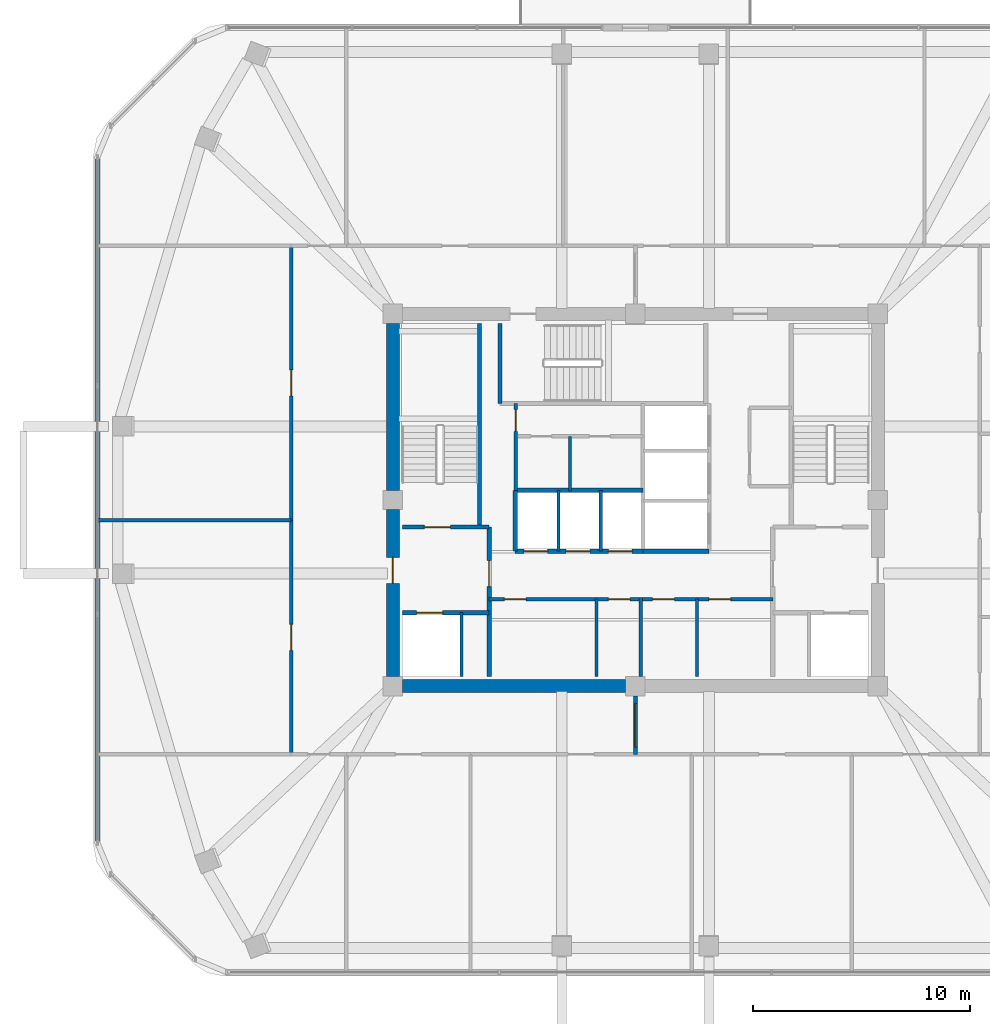
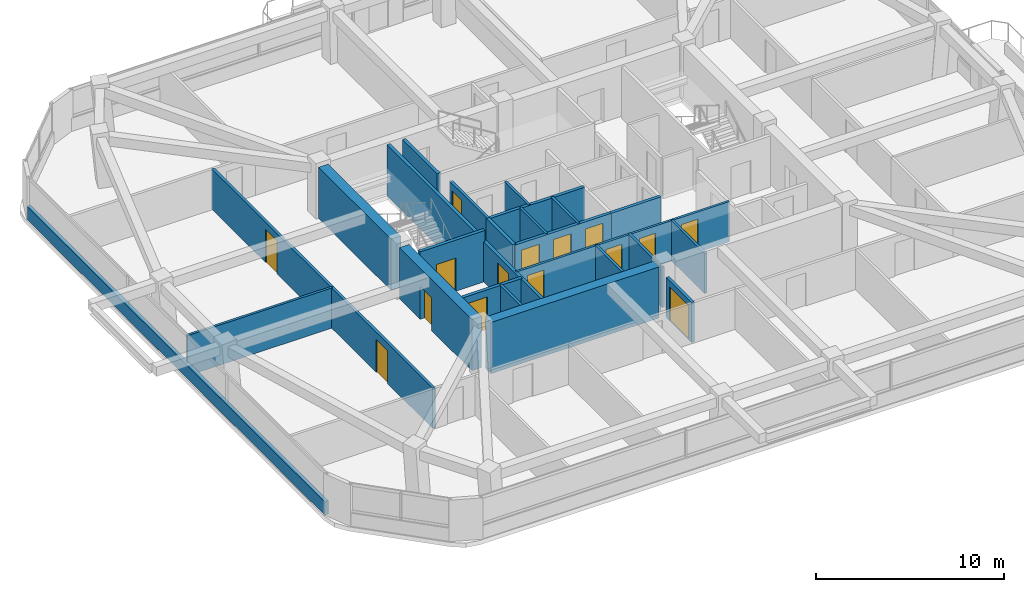
# One storey, part 9 of 13: 27 walls, 15 doors, 15 openings.
"""IFC4 building model written with IfcOpenShell, lengths in metres."""

import ifcopenshell
import ifcopenshell.guid

model = None  # the IFC model being written
_history = None  # IfcOwnerHistory: only IFC2X3 demands one
_inside = {}  # id of a spatial element -> (the spatial element, [elements in it])
_under = {}  # id of a project, library or spatial element -> (it, [spatial elements below it])
_declared = {}  # id of a project -> (the project, [libraries it declares])
_typed = {}  # id of a type object -> (the type object, [elements of that type])
_made_of = {}  # id of a material, layer set ... -> (it, [elements and type objects made of it])


def new_model(schema):
    """Start an empty IFC model of exactly this schema.

    Asked for "IFC4X3", IfcOpenShell would pick the latest addendum, in which some entities
    have other attributes; the version numbers below select the first issue.
    IFC2X3 requires an IfcOwnerHistory on every rooted entity: one is made here for all.
    """
    global model, _history
    if schema == "IFC4X3":
        model = ifcopenshell.file(schema_version=(4, 3, 0, 0))
    else:
        model = ifcopenshell.file(schema=schema)
    _inside.clear()
    _under.clear()
    _declared.clear()
    _typed.clear()
    _made_of.clear()
    _history = None
    if model.schema == "IFC2X3":
        org = make("IfcOrganization", Name="unknown")
        user = make(
            "IfcPersonAndOrganization",
            ThePerson=make("IfcPerson", FamilyName="unknown"),
            TheOrganization=org,
        )
        app = make(
            "IfcApplication",
            ApplicationDeveloper=org,
            Version="unknown",
            ApplicationFullName="unknown",
            ApplicationIdentifier="unknown",
        )
        _history = make(
            "IfcOwnerHistory",
            OwningUser=user,
            OwningApplication=app,
            ChangeAction="ADDED",
            CreationDate=0,
        )
    return model


def make(cls, **values):
    """One entity of the class cls with the attributes given. An attribute that is None is left unset."""
    return model.create_entity(
        cls, **{name: value for name, value in values.items() if value is not None}
    )


def rooted(cls, **values):
    """An entity with a GlobalId (a new one), such as an element, a storey or a relation."""
    return make(cls, GlobalId=ifcopenshell.guid.new(), OwnerHistory=_history, **values)


def si_unit(unit_type, name, prefix=None):
    """IfcSIUnit, for example si_unit("LENGTHUNIT", "METRE", prefix="MILLI")."""
    return make("IfcSIUnit", UnitType=unit_type, Prefix=prefix, Name=name)


def derived_unit(unit_type, elements):
    """IfcDerivedUnit: a product of units, each with its exponent."""
    return make(
        "IfcDerivedUnit",
        Elements=[
            make("IfcDerivedUnitElement", Unit=unit, Exponent=power)
            for unit, power in elements
        ],
        UnitType=unit_type,
    )


def assignment(units):
    """IfcUnitAssignment: the units of a project."""
    return None if units is None else make("IfcUnitAssignment", Units=units)


def point(xyz):
    """IfcCartesianPoint."""
    return None if xyz is None else make("IfcCartesianPoint", Coordinates=xyz)


def direction(xyz):
    """IfcDirection."""
    return None if xyz is None else make("IfcDirection", DirectionRatios=xyz)


def frame(location, z_axis=None, x_axis=None):
    """IfcAxis2Placement3D, a coordinate frame: its origin and axes. An axis left out is left unset."""
    return make(
        "IfcAxis2Placement3D",
        Location=point(location),
        Axis=direction(z_axis),
        RefDirection=direction(x_axis),
    )


def frame_2d(location, x_axis=None):
    """IfcAxis2Placement2D, a coordinate frame in the plane: its origin and x axis."""
    return make(
        "IfcAxis2Placement2D", Location=point(location), RefDirection=direction(x_axis)
    )


def origin():
    """The frame at (0, 0, 0) with its axes left unset."""
    return frame((0.0, 0.0, 0.0))


def place(relative_to, where):
    """IfcLocalPlacement: puts the frame where relative to a parent placement (None: the world)."""
    return make(
        "IfcLocalPlacement", PlacementRelTo=relative_to, RelativePlacement=where
    )


def context(
    kind, dimensions, precision=None, world=None, true_north=None, identifier=None
):
    """IfcGeometricRepresentationContext, for example the 3D "Model" context."""
    return make(
        "IfcGeometricRepresentationContext",
        ContextIdentifier=identifier,
        ContextType=kind,
        CoordinateSpaceDimension=dimensions,
        Precision=precision,
        WorldCoordinateSystem=world,
        TrueNorth=true_north,
    )


def subcontext(parent, identifier, kind, view, scale=None):
    """IfcGeometricRepresentationSubContext, for example "Body" below "Model"."""
    return make(
        "IfcGeometricRepresentationSubContext",
        ContextIdentifier=identifier,
        ContextType=kind,
        ParentContext=parent,
        TargetScale=scale,
        TargetView=view,
    )


def project(units=None, contexts=None):
    """IfcProject with its units and contexts."""
    return rooted(
        "IfcProject",
        Name="project",
        RepresentationContexts=contexts,
        UnitsInContext=assignment(units),
    )


def spatial(cls, under=None, at=None, **own):
    """A site, building, storey or space (cls), placed at a placement, below another one or the project."""
    s = rooted(cls, ObjectPlacement=at, **own)
    if under is not None:
        _under.setdefault(under.id(), (under, []))[1].append(s)
    return s


def profile(cls, at=None, kind="AREA", **sizes):
    """A parametric profile (cls). Its sizes go by their IFC names, for example OverallWidth=200.0."""
    return make(cls, ProfileType=kind, Position=at, **sizes)


def rectangle(**sizes):
    """IfcRectangleProfileDef."""
    return profile("IfcRectangleProfileDef", **sizes)


def extrude(swept, where, along, depth):
    """IfcExtrudedAreaSolid: the profile swept, set in the frame where, extruded along a direction by depth."""
    return make(
        "IfcExtrudedAreaSolid",
        SweptArea=swept,
        Position=where,
        ExtrudedDirection=direction(along),
        Depth=depth,
    )


def shape(context_of_items, identifier, shape_type, items):
    """IfcShapeRepresentation: the items that make up one representation, for example the "Body"."""
    return make(
        "IfcShapeRepresentation",
        ContextOfItems=context_of_items,
        RepresentationIdentifier=identifier,
        RepresentationType=shape_type,
        Items=items,
    )


def material(Name=None, Category=None):
    """IfcMaterial."""
    return make("IfcMaterial", Name=Name, Category=Category)


def layer(
    of_material, thickness, ventilated=None, Name=None, Category=None, Priority=None
):
    """IfcMaterialLayer: one layer of a wall or slab, of a material (None: an air gap)."""
    return make(
        "IfcMaterialLayer",
        Material=of_material,
        LayerThickness=thickness,
        IsVentilated=ventilated,
        Name=Name,
        Category=Category,
        Priority=Priority,
    )


def layer_set(layers, Name=None):
    """IfcMaterialLayerSet."""
    return make("IfcMaterialLayerSet", MaterialLayers=layers, LayerSetName=Name)


def made_of(thing, what):
    """Note that an element or type object is made of a material, layer set ...; save() writes the relation."""
    if what is not None:
        _made_of.setdefault(what.id(), (what, []))[1].append(thing)
    return thing


def type_object(cls, material=None, **own):
    """A type object (cls), such as IfcWallType, which elements share."""
    return made_of(rooted(cls, **own), material)


def element(
    cls,
    number,
    at=None,
    inside=None,
    cuts=None,
    type_object=None,
    material=None,
    context=None,
    identifier="Body",
    shape_type=None,
    held_by="IfcProductDefinitionShape",
    body=None,
    shapes=None,
    **own,
):
    """One element of the class cls, such as IfcWall. Its Tag is "e" and its number.

    at: its placement. inside: the storey or other place that contains it. cuts: it is an
    opening in that element (IfcRelVoidsElement). A single representation is given by context,
    identifier, shape_type and body (its items); several are given by shapes. held_by: the class
    of the entity that holds the representations. save() writes the other relations.
    """
    e = rooted(cls, Tag="e%d" % number, ObjectPlacement=at, **own)
    if body is not None:
        shapes = [shape(context, identifier, shape_type, body)]
    if shapes is not None:
        e.Representation = make(held_by, Representations=shapes)
    if inside is not None:
        _inside.setdefault(inside.id(), (inside, []))[1].append(e)
    if cuts is not None:
        rooted(
            "IfcRelVoidsElement", RelatingBuildingElement=cuts, RelatedOpeningElement=e
        )
    if type_object is not None:
        _typed.setdefault(type_object.id(), (type_object, []))[1].append(e)
    return made_of(e, material)


def fill(opening, filler):
    """IfcRelFillsElement: the door or window that sits in an opening."""
    return rooted(
        "IfcRelFillsElement",
        RelatingOpeningElement=opening,
        RelatedBuildingElement=filler,
    )


def aggregate(whole, parts):
    """IfcRelAggregates: a whole, such as a stair, and the parts it consists of."""
    return rooted("IfcRelAggregates", RelatingObject=whole, RelatedObjects=parts)


def save(model, path):
    """Write the relations noted so far, then the file.

    IfcRelAggregates (storeys below a building ...), IfcRelContainedInSpatialStructure (elements
    in a storey), IfcRelDefinesByType, IfcRelAssociatesMaterial and IfcRelDeclares: one each for
    every whole, place, type object, material and project.
    """
    for whole, parts in _under.values():
        aggregate(whole, parts)
    for where, things in _inside.values():
        rooted(
            "IfcRelContainedInSpatialStructure",
            RelatedElements=things,
            RelatingStructure=where,
        )
    for kind, things in _typed.values():
        rooted("IfcRelDefinesByType", RelatedObjects=things, RelatingType=kind)
    for what, things in _made_of.values():
        rooted("IfcRelAssociatesMaterial", RelatedObjects=things, RelatingMaterial=what)
    for by, libraries in _declared.values():
        rooted("IfcRelDeclares", RelatingContext=by, RelatedDefinitions=libraries)
    model.write(path)


model = new_model("IFC4")

# Units and contexts
model_context = context("Model", 3, precision=1e-05, world=origin(), true_north=direction((0.0, 1.0)))
body_context = subcontext(model_context, "Body", "Model", "MODEL_VIEW")
ifc_project = project(units=[si_unit("LENGTHUNIT", "METRE"), si_unit("AREAUNIT", "SQUARE_METRE"), si_unit("VOLUMEUNIT", "CUBIC_METRE"), si_unit("PLANEANGLEUNIT", "RADIAN"), si_unit("MASSUNIT", "GRAM", prefix="KILO"), derived_unit("THERMALTRANSMITTANCEUNIT", [(si_unit("POWERUNIT", "WATT"), 1), (si_unit("LENGTHUNIT", "METRE"), -2), (si_unit("THERMODYNAMICTEMPERATUREUNIT", "KELVIN"), -1)])], contexts=[model_context])

# Site, building, storey
site_placement = place(None, origin())
site = spatial("IfcSite", under=ifc_project, at=site_placement, CompositionType="ELEMENT")
building_placement = place(site_placement, origin())
building = spatial("IfcBuilding", under=site, at=building_placement, Name="Koralith Skygarden Medical Center", CompositionType="ELEMENT")
storey_placement = place(building_placement, frame((0.0, 0.0, 196.3798828125)))
storey = spatial("IfcBuildingStorey", under=building, at=storey_placement, Name="L50", CompositionType="ELEMENT", Elevation=196.3798828125)

# Wall, openings, doors
ifc_material_1 = material(Name="Gypsum Board Partition")
ifc_layer_1 = layer(ifc_material_1, 0.14990234375)
ifc_layer_set_1 = layer_set([ifc_layer_1], Name="Gypsum Board Partition")
wall_type_1 = type_object("IfcWallType", Name="Clinical Acoustic Partition 150", PredefinedType="PARTITIONING", material=ifc_layer_set_1)
wall_1_placement = place(storey_placement, frame((30.25, 21.320068359375, 0.0), z_axis=(0.0, 0.0, 1.0), x_axis=(1.0, 0.0, 0.0)))
wall_1 = element("IfcWall", 1, at=wall_1_placement, inside=storey, type_object=wall_type_1, Name="L50 Clinical Acoustic Partition 150 W-CORE-L50-FREED-LR-N", PredefinedType="PARTITIONING", context=body_context, shape_type="SweptSolid", body=[
    extrude(rectangle(XDim=7.0, YDim=0.14990234375, at=frame_2d((3.5, 0.0))), origin(), (0.0, 0.0, 1.0), 2.610107421875),
])
opening_1_placement = place(wall_1_placement, frame((0.699951171875, 0.0, 0.0)))
opening_1 = element("IfcOpeningElement", 2, at=opening_1_placement, cuts=wall_1, Name="Opening D-SUP", PredefinedType="OPENING", context=body_context, shape_type="SweptSolid", body=[
    extrude(rectangle(XDim=1.0, YDim=2.14990234375, at=frame_2d((0.5, 1.074951171875))), frame((0.0, 0.0849609375, 0.0), z_axis=(0.0, -1.0, 0.0), x_axis=(1.0, 0.0, 0.0)), (0.0, 0.0, 1.0), 0.169921875),
])
opening_2_placement = place(wall_1_placement, frame((5.5, 0.0, 0.0)))
opening_2 = element("IfcOpeningElement", 3, at=opening_2_placement, cuts=wall_1, Name="Opening D-SUP", PredefinedType="OPENING", context=body_context, shape_type="SweptSolid", body=[
    extrude(rectangle(XDim=1.0, YDim=2.14990234375, at=frame_2d((0.5, 1.074951171875))), frame((0.0, 0.0849609375, 0.0), z_axis=(0.0, -1.0, 0.0), x_axis=(1.0, 0.0, 0.0)), (0.0, 0.0, 1.0), 0.169921875),
])
ifc_material_2 = material(Name="Aluminium 6063-T6", Category="aluminium")
door_type_1 = type_object("IfcDoorType", Name="Clinical Support Door D-SUP 1000", OperationType="NOTDEFINED", PredefinedType="DOOR", material=ifc_material_2)
door_1_placement = place(opening_1_placement, frame((1.0, 0.0, 0.0), z_axis=(0.0, 0.0, 1.0), x_axis=(-1.0, 0.0, 0.0)))
door_1 = element("IfcDoor", 4, at=door_1_placement, inside=storey, type_object=door_type_1, Name="L50 Medication Preparation Door", OperationType="SINGLE_SWING_LEFT", OverallHeight=2.14990234375, OverallWidth=1.0, PredefinedType="DOOR", context=body_context, shape_type="SweptSolid", body=[
    extrude(rectangle(XDim=1.0, YDim=2.14990234375, at=frame_2d((0.5, 1.074951171875))), frame((0.0, 0.02490234375, 0.0), z_axis=(0.0, -1.0, 0.0), x_axis=(1.0, 0.0, 0.0)), (0.0, 0.0, 1.0), 0.050048828125),
])
fill(opening_1, door_1)
door_2_placement = place(opening_2_placement, frame((1.0, 0.0, 0.0), z_axis=(0.0, 0.0, 1.0), x_axis=(-1.0, 0.0, 0.0)))
door_2 = element("IfcDoor", 5, at=door_2_placement, inside=storey, type_object=door_type_1, Name="L50 Telemetry Room Door", OperationType="SINGLE_SWING_RIGHT", OverallHeight=2.14990234375, OverallWidth=1.0, PredefinedType="DOOR", context=body_context, shape_type="SweptSolid", body=[
    extrude(rectangle(XDim=1.0, YDim=2.14990234375, at=frame_2d((0.5, 1.074951171875))), frame((0.0, 0.02490234375, 0.0), z_axis=(0.0, -1.0, 0.0), x_axis=(1.0, 0.0, 0.0)), (0.0, 0.0, 1.0), 0.050048828125),
])
fill(opening_2, door_2)

# Wall
wall_2_placement = place(storey_placement, frame((35.199951171875, 17.75, 0.0), z_axis=(0.0, 0.0, 1.0), x_axis=(0.0, 1.0, 0.0)))
element("IfcWall", 6, at=wall_2_placement, inside=storey, type_object=wall_type_1, Name="L50 Clinical Acoustic Partition 150 W-CORE-L50-FREED-LR-M", PredefinedType="PARTITIONING", context=body_context, shape_type="SweptSolid", body=[
    extrude(rectangle(XDim=3.570068359375, YDim=0.14990234375, at=frame_2d((1.78515625, 0.0))), origin(), (0.0, 0.0, 1.0), 2.610107421875),
])

# Wall, openings, doors
wall_3_placement = place(storey_placement, frame((37.25, 21.320068359375, 0.0), z_axis=(0.0, 0.0, 1.0), x_axis=(1.0, 0.0, 0.0)))
wall_3 = element("IfcWall", 7, at=wall_3_placement, inside=storey, type_object=wall_type_1, Name="L50 Clinical Acoustic Partition 150 W-CORE-L50-FREED-MR-N", PredefinedType="PARTITIONING", context=body_context, shape_type="SweptSolid", body=[
    extrude(rectangle(XDim=6.10009765625, YDim=0.14990234375, at=frame_2d((3.050048828125, 0.0))), origin(), (0.0, 0.0, 1.0), 2.610107421875),
])
opening_3_placement = place(wall_3_placement, frame((0.550048828125, 0.0, 0.0)))
opening_3 = element("IfcOpeningElement", 8, at=opening_3_placement, cuts=wall_3, Name="Opening D-SUP", PredefinedType="OPENING", context=body_context, shape_type="SweptSolid", body=[
    extrude(rectangle(XDim=1.0, YDim=2.14990234375, at=frame_2d((0.5, 1.074951171875))), frame((0.0, 0.0849609375, 0.0), z_axis=(0.0, -1.0, 0.0), x_axis=(1.0, 0.0, 0.0)), (0.0, 0.0, 1.0), 0.169921875),
])
opening_4_placement = place(wall_3_placement, frame((3.14990234375, 0.0, 0.0)))
opening_4 = element("IfcOpeningElement", 9, at=opening_4_placement, cuts=wall_3, Name="Opening D-SUP", PredefinedType="OPENING", context=body_context, shape_type="SweptSolid", body=[
    extrude(rectangle(XDim=1.0, YDim=2.14990234375, at=frame_2d((0.5, 1.074951171875))), frame((0.0, 0.0849609375, 0.0), z_axis=(0.0, -1.0, 0.0), x_axis=(1.0, 0.0, 0.0)), (0.0, 0.0, 1.0), 0.169921875),
])
door_3_placement = place(opening_3_placement, frame((1.0, 0.0, 0.0), z_axis=(0.0, 0.0, 1.0), x_axis=(-1.0, 0.0, 0.0)))
door_3 = element("IfcDoor", 10, at=door_3_placement, inside=storey, type_object=door_type_1, Name="L50 Satellite Pharmacy Door", OperationType="SINGLE_SWING_LEFT", OverallHeight=2.14990234375, OverallWidth=1.0, PredefinedType="DOOR", context=body_context, shape_type="SweptSolid", body=[
    extrude(rectangle(XDim=1.0, YDim=2.14990234375, at=frame_2d((0.5, 1.074951171875))), frame((0.0, 0.02490234375, 0.0), z_axis=(0.0, -1.0, 0.0), x_axis=(1.0, 0.0, 0.0)), (0.0, 0.0, 1.0), 0.050048828125),
])
fill(opening_3, door_3)
door_4_placement = place(opening_4_placement, frame((1.0, 0.0, 0.0), z_axis=(0.0, 0.0, 1.0), x_axis=(-1.0, 0.0, 0.0)))
door_4 = element("IfcDoor", 11, at=door_4_placement, inside=storey, type_object=door_type_1, Name="L50 Biomedical Equipment Door", OperationType="SINGLE_SWING_RIGHT", OverallHeight=2.14990234375, OverallWidth=1.0, PredefinedType="DOOR", context=body_context, shape_type="SweptSolid", body=[
    extrude(rectangle(XDim=1.0, YDim=2.14990234375, at=frame_2d((0.5, 1.074951171875))), frame((0.0, 0.02490234375, 0.0), z_axis=(0.0, -1.0, 0.0), x_axis=(1.0, 0.0, 0.0)), (0.0, 0.0, 1.0), 0.050048828125),
])
fill(opening_4, door_4)

# Walls
wall_4_placement = place(storey_placement, frame((39.85009765625, 17.75, 0.0), z_axis=(0.0, 0.0, 1.0), x_axis=(0.0, 1.0, 0.0)))
element("IfcWall", 12, at=wall_4_placement, inside=storey, type_object=wall_type_1, Name="L50 Clinical Acoustic Partition 150 W-CORE-L50-FREED-MR-M", PredefinedType="PARTITIONING", context=body_context, shape_type="SweptSolid", body=[
    extrude(rectangle(XDim=3.570068359375, YDim=0.14990234375, at=frame_2d((1.78515625, 0.0))), origin(), (0.0, 0.0, 1.0), 2.610107421875),
])
wall_5_placement = place(storey_placement, frame((33.97998046875, 26.320068359375, 0.0), z_axis=(0.0, 0.0, 1.0), x_axis=(0.0, 1.0, 0.0)))
element("IfcWall", 13, at=wall_5_placement, inside=storey, type_object=wall_type_1, Name="L50 Clinical Acoustic Partition 150 W-CORE-L50-FLEX-V3A", PredefinedType="PARTITIONING", context=body_context, shape_type="SweptSolid", body=[
    extrude(rectangle(XDim=2.52001953125, YDim=0.14990234375, at=frame_2d((1.260009765625, 0.0))), origin(), (0.0, 0.0, 1.0), 2.610107421875),
])
wall_6_placement = place(storey_placement, frame((21.10009765625, 24.9599609375, 0.0), z_axis=(0.0, 0.0, 1.0), x_axis=(-1.0, 0.0, 0.0)))
element("IfcWall", 14, at=wall_6_placement, inside=storey, type_object=wall_type_1, Name="L50 Clinical Acoustic Partition 150 W-PART-L50-W-01", PredefinedType="PARTITIONING", context=body_context, shape_type="SweptSolid", body=[
    extrude(rectangle(XDim=8.926025390625, YDim=0.14990234375, at=frame_2d((4.462890625, 0.0))), origin(), (0.0, 0.0, 1.0), 2.610107421875),
])

# Wall, opening, door
ifc_layer_2 = layer(ifc_material_1, 0.1650390625)
ifc_layer_set_2 = layer_set([ifc_layer_2], Name="Gypsum Board Partition")
wall_type_2 = type_object("IfcWallType", Name="Clinical Corridor Partition 165", PredefinedType="PARTITIONING", material=ifc_layer_set_2)
wall_7_placement = place(storey_placement, frame((21.10009765625, 14.14990234375, 0.0), z_axis=(0.0, 0.0, 1.0), x_axis=(0.0, 1.0, 0.0)))
wall_7 = element("IfcWall", 15, at=wall_7_placement, inside=storey, type_object=wall_type_2, Name="L50 Clinical Corridor Partition 165 W-CORR-L50-W-01", PredefinedType="PARTITIONING", context=body_context, shape_type="SweptSolid", body=[
    extrude(rectangle(XDim=10.81005859375, YDim=0.1650390625, at=frame_2d((5.405029296875, 0.0))), origin(), (0.0, 0.0, 1.0), 2.610107421875),
])
opening_5_placement = place(wall_7_placement, frame((4.804931640625, 0.0, 0.0)))
opening_5 = element("IfcOpeningElement", 16, at=opening_5_placement, cuts=wall_7, Name="Opening D-CLN", PredefinedType="OPENING", context=body_context, shape_type="SweptSolid", body=[
    extrude(rectangle(XDim=1.199951171875, YDim=2.14990234375, at=frame_2d((0.60009765625, 1.074951171875))), frame((0.0, 0.092529296875, 0.0), z_axis=(0.0, -1.0, 0.0), x_axis=(1.0, 0.0, 0.0)), (0.0, 0.0, 1.0), 0.18505859375),
])
door_type_2 = type_object("IfcDoorType", Name="Clinical Corridor Door D-CLN 1200", OperationType="NOTDEFINED", PredefinedType="DOOR", material=ifc_material_2)
door_5_placement = place(opening_5_placement, frame((1.199951171875, 0.0, 0.0), z_axis=(0.0, 0.0, 1.0), x_axis=(-1.0, 0.0, 0.0)))
door_5 = element("IfcDoor", 17, at=door_5_placement, inside=storey, type_object=door_type_2, Name="L50 Clinical Dietetics Pantry 11 Door", OperationType="SINGLE_SWING_RIGHT", OverallHeight=2.14990234375, OverallWidth=1.199951171875, PredefinedType="DOOR", context=body_context, shape_type="SweptSolid", body=[
    extrude(rectangle(XDim=1.199951171875, YDim=2.14990234375, at=frame_2d((0.60009765625, 1.074951171875))), frame((0.0, 0.02490234375, 0.0), z_axis=(0.0, -1.0, 0.0), x_axis=(1.0, 0.0, 0.0)), (0.0, 0.0, 1.0), 0.050048828125),
])
fill(opening_5, door_5)

wall_8_placement = place(storey_placement, frame((21.10009765625, 24.9599609375, 0.0), z_axis=(0.0, 0.0, 1.0), x_axis=(0.0, 1.0, 0.0)))
wall_8 = element("IfcWall", 18, at=wall_8_placement, inside=storey, type_object=wall_type_2, Name="L50 Clinical Corridor Partition 165 W-CORR-L50-W-02", PredefinedType="PARTITIONING", context=body_context, shape_type="SweptSolid", body=[
    extrude(rectangle(XDim=12.68994140625, YDim=0.1650390625, at=frame_2d((6.344970703125, 0.0))), origin(), (0.0, 0.0, 1.0), 2.610107421875),
])
opening_6_placement = place(wall_8_placement, frame((5.7451171875, 0.0, 0.0)))
opening_6 = element("IfcOpeningElement", 19, at=opening_6_placement, cuts=wall_8, Name="Opening D-CLN", PredefinedType="OPENING", context=body_context, shape_type="SweptSolid", body=[
    extrude(rectangle(XDim=1.199951171875, YDim=2.14990234375, at=frame_2d((0.60009765625, 1.074951171875))), frame((0.0, 0.092529296875, 0.0), z_axis=(0.0, -1.0, 0.0), x_axis=(1.0, 0.0, 0.0)), (0.0, 0.0, 1.0), 0.18505859375),
])
door_6_placement = place(opening_6_placement, frame((1.199951171875, 0.0, 0.0), z_axis=(0.0, 0.0, 1.0), x_axis=(-1.0, 0.0, 0.0)))
door_6 = element("IfcDoor", 20, at=door_6_placement, inside=storey, type_object=door_type_2, Name="L50 Metabolic Health Classroom 12 Door", OperationType="SINGLE_SWING_LEFT", OverallHeight=2.14990234375, OverallWidth=1.199951171875, PredefinedType="DOOR", context=body_context, shape_type="SweptSolid", body=[
    extrude(rectangle(XDim=1.199951171875, YDim=2.14990234375, at=frame_2d((0.60009765625, 1.074951171875))), frame((0.0, 0.02490234375, 0.0), z_axis=(0.0, -1.0, 0.0), x_axis=(1.0, 0.0, 0.0)), (0.0, 0.0, 1.0), 0.050048828125),
])
fill(opening_6, door_6)

ifc_layer_3 = layer(ifc_material_1, 0.199951171875)
ifc_layer_set_3 = layer_set([ifc_layer_3], Name="Gypsum Board Partition")
wall_type_3 = type_object("IfcWallType", Name="Fire Shaft Wall 200", PredefinedType="SOLIDWALL", material=ifc_layer_set_3)
wall_9_placement = place(storey_placement, frame((26.25, 20.699951171875, 0.0), z_axis=(0.0, 0.0, 1.0), x_axis=(1.0, 0.0, 0.0)))
wall_9 = element("IfcWall", 21, at=wall_9_placement, inside=storey, type_object=wall_type_3, Name="L50 Fire Shaft Wall 200 W-CORE-L50-FF1-N", PredefinedType="SOLIDWALL", context=body_context, shape_type="SweptSolid", body=[
    extrude(rectangle(XDim=4.0, YDim=0.199951171875, at=frame_2d((2.0, 0.0))), origin(), (0.0, 0.0, 1.0), 2.610107421875),
])
opening_7_placement = place(wall_9_placement, frame((0.64990234375, 0.0, 0.0)))
opening_7 = element("IfcOpeningElement", 22, at=opening_7_placement, cuts=wall_9, Name="Opening LD-FF", PredefinedType="OPENING", context=body_context, shape_type="SweptSolid", body=[
    extrude(rectangle(XDim=1.199951171875, YDim=2.14990234375, at=frame_2d((0.60009765625, 1.074951171875))), frame((0.0, 0.10986328125, 0.0), z_axis=(0.0, -1.0, 0.0), x_axis=(1.0, 0.0, 0.0)), (0.0, 0.0, 1.0), 0.219970703125),
])
ifc_material_3 = material(Name="Steel ASTM A500 Grade C", Category="steel")
door_type_3 = type_object("IfcDoorType", Name="Fire Lift Sliding Landing Door LD-FF 1200", OperationType="NOTDEFINED", PredefinedType="DOOR", material=ifc_material_3)
door_7_placement = place(opening_7_placement, origin())
door_7 = element("IfcDoor", 23, at=door_7_placement, inside=storey, type_object=door_type_3, Name="L50 Fire Service Elevator FF1 Landing Door", OperationType="SLIDING_TO_LEFT", OverallHeight=2.14990234375, OverallWidth=1.199951171875, PredefinedType="DOOR", context=body_context, shape_type="SweptSolid", body=[
    extrude(rectangle(XDim=1.199951171875, YDim=2.14990234375, at=frame_2d((0.60009765625, 1.074951171875))), frame((0.0, 0.02490234375, 0.0), z_axis=(0.0, -1.0, 0.0), x_axis=(1.0, 0.0, 0.0)), (0.0, 0.0, 1.0), 0.050048828125),
])
fill(opening_7, door_7)

wall_10_placement = place(storey_placement, frame((30.25, 17.75, 0.0), z_axis=(0.0, 0.0, 1.0), x_axis=(0.0, 1.0, 0.0)))
wall_10 = element("IfcWall", 24, at=wall_10_placement, inside=storey, type_object=wall_type_3, Name="L50 Fire Shaft Wall 200 W-CORE-L50-FSAEW-E", PredefinedType="SOLIDWALL", context=body_context, shape_type="SweptSolid", body=[
    extrude(rectangle(XDim=6.89990234375, YDim=0.199951171875, at=frame_2d((3.449951171875, 0.0))), origin(), (0.0, 0.0, 1.0), 2.610107421875),
])
opening_8_placement = place(wall_10_placement, frame((4.14990234375, 0.0, 0.0)))
opening_8 = element("IfcOpeningElement", 25, at=opening_8_placement, cuts=wall_10, Name="Opening D-ST60", PredefinedType="OPENING", context=body_context, shape_type="SweptSolid", body=[
    extrude(rectangle(XDim=1.199951171875, YDim=2.14990234375, at=frame_2d((0.60009765625, 1.074951171875))), frame((0.0, 0.10986328125, 0.0), z_axis=(0.0, -1.0, 0.0), x_axis=(1.0, 0.0, 0.0)), (0.0, 0.0, 1.0), 0.219970703125),
])
door_type_4 = type_object("IfcDoorType", Name="Smokeproof Stair Fire Door FD60S 1200", OperationType="NOTDEFINED", PredefinedType="DOOR", material=ifc_material_3)
door_8_placement = place(opening_8_placement, origin())
door_8 = element("IfcDoor", 26, at=door_8_placement, inside=storey, type_object=door_type_4, Name="L50 West Firefighting Lobby Inner Fire Door", OperationType="SINGLE_SWING_LEFT", OverallHeight=2.14990234375, OverallWidth=1.199951171875, PredefinedType="DOOR", context=body_context, shape_type="SweptSolid", body=[
    extrude(rectangle(XDim=1.199951171875, YDim=2.14990234375, at=frame_2d((0.60009765625, 1.074951171875))), frame((0.0, 0.02490234375, 0.0), z_axis=(0.0, -1.0, 0.0), x_axis=(1.0, 0.0, 0.0)), (0.0, 0.0, 1.0), 0.050048828125),
])
fill(opening_8, door_8)

# Wall, openings, doors
wall_11_placement = place(storey_placement, frame((31.449951171875, 23.5400390625, 0.0), z_axis=(0.0, 0.0, 1.0), x_axis=(1.0, 0.0, 0.0)))
wall_11 = element("IfcWall", 27, at=wall_11_placement, inside=storey, type_object=wall_type_3, Name="L50 Fire Shaft Wall 200 W-CORE-L50-PH-S", PredefinedType="SOLIDWALL", context=body_context, shape_type="SweptSolid", body=[
    extrude(rectangle(XDim=5.900146484375, YDim=0.199951171875, at=frame_2d((2.9501953125, 0.0))), origin(), (0.0, 0.0, 1.0), 2.610107421875),
])
opening_9_placement = place(wall_11_placement, frame((0.39990234375, 0.0, 0.0)))
opening_9 = element("IfcOpeningElement", 28, at=opening_9_placement, cuts=wall_11, Name="Opening LD-P", PredefinedType="OPENING", context=body_context, shape_type="SweptSolid", body=[
    extrude(rectangle(XDim=1.10009765625, YDim=2.14990234375, at=frame_2d((0.550048828125, 1.074951171875))), frame((0.0, 0.10986328125, 0.0), z_axis=(0.0, -1.0, 0.0), x_axis=(1.0, 0.0, 0.0)), (0.0, 0.0, 1.0), 0.219970703125),
])
opening_10_placement = place(wall_11_placement, frame((2.35009765625, 0.0, 0.0)))
opening_10 = element("IfcOpeningElement", 29, at=opening_10_placement, cuts=wall_11, Name="Opening LD-P", PredefinedType="OPENING", context=body_context, shape_type="SweptSolid", body=[
    extrude(rectangle(XDim=1.10009765625, YDim=2.14990234375, at=frame_2d((0.550048828125, 1.074951171875))), frame((0.0, 0.10986328125, 0.0), z_axis=(0.0, -1.0, 0.0), x_axis=(1.0, 0.0, 0.0)), (0.0, 0.0, 1.0), 0.219970703125),
])
opening_11_placement = place(wall_11_placement, frame((4.300048828125, 0.0, 0.0)))
opening_11 = element("IfcOpeningElement", 30, at=opening_11_placement, cuts=wall_11, Name="Opening LD-P", PredefinedType="OPENING", context=body_context, shape_type="SweptSolid", body=[
    extrude(rectangle(XDim=1.10009765625, YDim=2.14990234375, at=frame_2d((0.550048828125, 1.074951171875))), frame((0.0, 0.10986328125, 0.0), z_axis=(0.0, -1.0, 0.0), x_axis=(1.0, 0.0, 0.0)), (0.0, 0.0, 1.0), 0.219970703125),
])
door_type_5 = type_object("IfcDoorType", Name="Passenger Lift Sliding Landing Door LD-P 1100", OperationType="NOTDEFINED", PredefinedType="DOOR", material=ifc_material_3)
door_9_placement = place(opening_9_placement, origin())
door_9 = element("IfcDoor", 31, at=door_9_placement, inside=storey, type_object=door_type_5, Name="L50 Passenger Elevator PH1 Landing Door", OperationType="SLIDING_TO_RIGHT", OverallHeight=2.14990234375, OverallWidth=1.10009765625, PredefinedType="DOOR", context=body_context, shape_type="SweptSolid", body=[
    extrude(rectangle(XDim=1.10009765625, YDim=2.14990234375, at=frame_2d((0.550048828125, 1.074951171875))), frame((0.0, 0.02490234375, 0.0), z_axis=(0.0, -1.0, 0.0), x_axis=(1.0, 0.0, 0.0)), (0.0, 0.0, 1.0), 0.050048828125),
])
fill(opening_9, door_9)
door_10_placement = place(opening_10_placement, origin())
door_10 = element("IfcDoor", 32, at=door_10_placement, inside=storey, type_object=door_type_5, Name="L50 Passenger Elevator PH2 Landing Door", OperationType="SLIDING_TO_RIGHT", OverallHeight=2.14990234375, OverallWidth=1.10009765625, PredefinedType="DOOR", context=body_context, shape_type="SweptSolid", body=[
    extrude(rectangle(XDim=1.10009765625, YDim=2.14990234375, at=frame_2d((0.550048828125, 1.074951171875))), frame((0.0, 0.02490234375, 0.0), z_axis=(0.0, -1.0, 0.0), x_axis=(1.0, 0.0, 0.0)), (0.0, 0.0, 1.0), 0.050048828125),
])
fill(opening_10, door_10)
door_11_placement = place(opening_11_placement, origin())
door_11 = element("IfcDoor", 33, at=door_11_placement, inside=storey, type_object=door_type_5, Name="L50 Passenger Elevator PH3 Landing Door", OperationType="SLIDING_TO_RIGHT", OverallHeight=2.14990234375, OverallWidth=1.10009765625, PredefinedType="DOOR", context=body_context, shape_type="SweptSolid", body=[
    extrude(rectangle(XDim=1.10009765625, YDim=2.14990234375, at=frame_2d((0.550048828125, 1.074951171875))), frame((0.0, 0.02490234375, 0.0), z_axis=(0.0, -1.0, 0.0), x_axis=(1.0, 0.0, 0.0)), (0.0, 0.0, 1.0), 0.050048828125),
])
fill(opening_11, door_11)

# Walls
wall_12_placement = place(storey_placement, frame((31.449951171875, 26.35009765625, 0.0), z_axis=(0.0, 0.0, 1.0), x_axis=(1.0, 0.0, 0.0)))
element("IfcWall", 34, at=wall_12_placement, inside=storey, type_object=wall_type_3, Name="L50 Fire Shaft Wall 200 W-CORE-L50-PH-N", PredefinedType="SOLIDWALL", context=body_context, shape_type="SweptSolid", body=[
    extrude(rectangle(XDim=5.900146484375, YDim=0.199951171875, at=frame_2d((2.9501953125, 0.0))), origin(), (0.0, 0.0, 1.0), 2.610107421875),
])
wall_13_placement = place(storey_placement, frame((31.449951171875, 23.5400390625, 0.0), z_axis=(0.0, 0.0, 1.0), x_axis=(0.0, 1.0, 0.0)))
element("IfcWall", 35, at=wall_13_placement, inside=storey, type_object=wall_type_3, Name="L50 Fire Shaft Wall 200 W-CORE-L50-PH-W", PredefinedType="SOLIDWALL", context=body_context, shape_type="SweptSolid", body=[
    extrude(rectangle(XDim=2.81005859375, YDim=0.199951171875, at=frame_2d((1.405029296875, 0.0))), origin(), (0.0, 0.0, 1.0), 2.610107421875),
])
wall_14_placement = place(storey_placement, frame((37.35009765625, 23.5400390625, 0.0), z_axis=(0.0, 0.0, 1.0), x_axis=(1.0, 0.0, 0.0)))
element("IfcWall", 36, at=wall_14_placement, inside=storey, type_object=wall_type_3, Name="L50 Fire Shaft Wall 200 W-CORE-L50-SV-S", PredefinedType="SOLIDWALL", context=body_context, shape_type="SweptSolid", body=[
    extrude(rectangle(XDim=3.0498046875, YDim=0.199951171875, at=frame_2d((1.52490234375, 0.0))), origin(), (0.0, 0.0, 1.0), 2.610107421875),
])

# Wall, opening, door
ifc_layer_4 = layer(ifc_material_1, 0.179931640625)
ifc_layer_set_4 = layer_set([ifc_layer_4], Name="Gypsum Board Partition")
wall_type_4 = type_object("IfcWallType", Name="Group I-2 Smoke Barrier Wall 180", PredefinedType="PARTITIONING", material=ifc_layer_set_4)
wall_15_placement = place(storey_placement, frame((37.0, 14.14990234375, 0.0), z_axis=(0.0, 0.0, 1.0), x_axis=(0.0, 1.0, 0.0)))
wall_15 = element("IfcWall", 37, at=wall_15_placement, inside=storey, type_object=wall_type_4, Name="L50 Group I-2 Smoke Barrier Wall 180 W-SMK-L50-S", PredefinedType="PARTITIONING", context=body_context, shape_type="SweptSolid", body=[
    extrude(rectangle(XDim=2.7001953125, YDim=0.179931640625, at=frame_2d((1.35009765625, 0.0))), origin(), (0.0, 0.0, 1.0), 2.610107421875),
])
opening_12_placement = place(wall_15_placement, frame((0.35009765625, 0.0, 0.0)))
opening_12 = element("IfcOpeningElement", 38, at=opening_12_placement, cuts=wall_15, Name="Opening D-SMK", PredefinedType="OPENING", context=body_context, shape_type="SweptSolid", body=[
    extrude(rectangle(XDim=2.0, YDim=2.199951171875, at=frame_2d((1.0, 1.10009765625))), frame((0.0, 0.099853515625, 0.0), z_axis=(0.0, -1.0, 0.0), x_axis=(1.0, 0.0, 0.0)), (0.0, 0.0, 1.0), 0.199951171875),
])
door_type_6 = type_object("IfcDoorType", Name="Cross-Corridor Double Smoke Door FD60S 2000", OperationType="NOTDEFINED", PredefinedType="DOOR", material=ifc_material_3)
door_12_placement = place(opening_12_placement, frame((2.0, 0.0, 0.0), z_axis=(0.0, 0.0, 1.0), x_axis=(-1.0, 0.0, 0.0)))
door_12 = element("IfcDoor", 39, at=door_12_placement, inside=storey, type_object=door_type_6, Name="L50 S Smoke Compartment Cross-Corridor Door", OperationType="DOUBLE_DOOR_SINGLE_SWING", OverallHeight=2.199951171875, OverallWidth=2.0, PredefinedType="DOOR", context=body_context, shape_type="SweptSolid", body=[
    extrude(rectangle(XDim=2.0, YDim=2.199951171875, at=frame_2d((1.0, 1.10009765625))), frame((0.0, 0.02490234375, 0.0), z_axis=(0.0, -1.0, 0.0), x_axis=(1.0, 0.0, 0.0)), (0.0, 0.0, 1.0), 0.050048828125),
])
fill(opening_12, door_12)

# Wall
ifc_material_4 = material(Name="Warm Oolitic Limestone Cladding", Category="masonry")
ifc_layer_5 = layer(ifc_material_4, 0.239990234375)
ifc_layer_set_5 = layer_set([ifc_layer_5], Name="Warm Oolitic Limestone Cladding")
wall_type_5 = type_object("IfcWallType", Name="Limestone Spandrel Sill Backup Wall 240", PredefinedType="SOLIDWALL", material=ifc_layer_set_5)
wall_16_placement = place(storey_placement, frame((12.154052734375, 41.735107421875, 0.0), z_axis=(0.0, 0.0, 1.0), x_axis=(0.0, -1.0, 0.0)))
element("IfcWall", 40, at=wall_16_placement, inside=storey, type_object=wall_type_5, Name="L50 Sill Spandrel W", PredefinedType="SOLIDWALL", context=body_context, shape_type="SweptSolid", body=[
    extrude(rectangle(XDim=31.670166015625, YDim=0.239990234375, at=frame_2d((15.8349609375, 0.0))), origin(), (0.0, 0.0, 1.0), 0.85009765625),
])

# Wall, opening, door
ifc_layer_6 = layer(ifc_material_1, 0.1650390625)
ifc_layer_set_6 = layer_set([ifc_layer_6], Name="Gypsum Board Partition")
wall_type_6 = type_object("IfcWallType", Name="Plumbing Wet Wall 165", PredefinedType="PLUMBINGWALL", material=ifc_layer_set_6)
wall_17_placement = place(storey_placement, frame((31.47998046875, 26.320068359375, 0.0), z_axis=(0.0, 0.0, 1.0), x_axis=(0.0, 1.0, 0.0)))
wall_17 = element("IfcWall", 41, at=wall_17_placement, inside=storey, type_object=wall_type_6, Name="L50 Plumbing Wet Wall 165 W-CORE-L50-FLEX-W", PredefinedType="PLUMBINGWALL", context=body_context, shape_type="SweptSolid", body=[
    extrude(rectangle(XDim=4.0400390625, YDim=0.1650390625, at=frame_2d((2.02001953125, 0.0))), origin(), (0.0, 0.0, 1.0), 2.610107421875),
])
opening_13_placement = place(wall_17_placement, frame((2.75, 0.0, 0.0)))
opening_13 = element("IfcOpeningElement", 42, at=opening_13_placement, cuts=wall_17, Name="Opening D-SUP", PredefinedType="OPENING", context=body_context, shape_type="SweptSolid", body=[
    extrude(rectangle(XDim=1.0, YDim=2.14990234375, at=frame_2d((0.5, 1.074951171875))), frame((0.0, 0.092529296875, 0.0), z_axis=(0.0, -1.0, 0.0), x_axis=(1.0, 0.0, 0.0)), (0.0, 0.0, 1.0), 0.18505859375),
])
door_13_placement = place(opening_13_placement, frame((1.0, 0.0, 0.0), z_axis=(0.0, 0.0, 1.0), x_axis=(-1.0, 0.0, 0.0)))
door_13 = element("IfcDoor", 43, at=door_13_placement, inside=storey, type_object=door_type_1, Name="L50 Core Utility Alcove Door", OperationType="SINGLE_SWING_RIGHT", OverallHeight=2.14990234375, OverallWidth=1.0, PredefinedType="DOOR", context=body_context, shape_type="SweptSolid", body=[
    extrude(rectangle(XDim=1.0, YDim=2.14990234375, at=frame_2d((0.5, 1.074951171875))), frame((0.0, 0.02490234375, 0.0), z_axis=(0.0, -1.0, 0.0), x_axis=(1.0, 0.0, 0.0)), (0.0, 0.0, 1.0), 0.050048828125),
])
fill(opening_13, door_13)

# Walls
ifc_layer_7 = layer(ifc_material_1, 0.14990234375)
ifc_layer_set_7 = layer_set([ifc_layer_7], Name="Gypsum Board Partition")
wall_type_7 = type_object("IfcWallType", Name="Shaft Partition Wall 150", PredefinedType="PARTITIONING", material=ifc_layer_set_7)
wall_18_placement = place(storey_placement, frame((28.969970703125, 17.75, 0.0), z_axis=(0.0, 0.0, 1.0), x_axis=(0.0, 1.0, 0.0)))
element("IfcWall", 44, at=wall_18_placement, inside=storey, type_object=wall_type_7, Name="L50 Shaft Partition Wall 150 W-CORE-L50-RSRW-DIV", PredefinedType="PARTITIONING", context=body_context, shape_type="SweptSolid", body=[
    extrude(rectangle(XDim=2.949951171875, YDim=0.14990234375, at=frame_2d((1.47509765625, 0.0))), origin(), (0.0, 0.0, 1.0), 2.610107421875),
])
wall_19_placement = place(storey_placement, frame((37.25, 17.75, 0.0), z_axis=(0.0, 0.0, 1.0), x_axis=(0.0, 1.0, 0.0)))
element("IfcWall", 45, at=wall_19_placement, inside=storey, type_object=wall_type_7, Name="L50 Shaft Partition Wall 150 W-CORE-L50-PL-PM-SEP", PredefinedType="PARTITIONING", context=body_context, shape_type="SweptSolid", body=[
    extrude(rectangle(XDim=3.64990234375, YDim=0.14990234375, at=frame_2d((1.824951171875, 0.0))), origin(), (0.0, 0.0, 1.0), 2.610107421875),
])
for number, where, z_axis, x_axis, name in (
    (46, (33.449951171875, 23.5400390625, 0.0), (0.0, 0.0, 1.0), (0.0, 1.0, 0.0), "L50 Shaft Partition Wall 150 W-CORE-L50-PH-D1"),
    (47, (35.39990234375, 23.5400390625, 0.0), (0.0, 0.0, 1.0), (0.0, 1.0, 0.0), "L50 Shaft Partition Wall 150 W-CORE-L50-PH-D2"),
):
    element("IfcWall", number, at=place(storey_placement, frame(where, z_axis=z_axis, x_axis=x_axis)), inside=storey, type_object=wall_type_7, Name=name, PredefinedType="PARTITIONING", context=body_context, shape_type="SweptSolid", body=[
        extrude(rectangle(XDim=2.81005859375, YDim=0.14990234375, at=frame_2d((1.405029296875, 0.0))), origin(), (0.0, 0.0, 1.0), 2.610107421875),
    ])
ifc_material_5 = material(Name="Concrete C45/55", Category="concrete")
ifc_layer_8 = layer(ifc_material_5, 0.199951171875)
ifc_layer_set_8 = layer_set([ifc_layer_8], Name="Concrete C45/55")
wall_type_8 = type_object("IfcWallType", Name="Structural Stair Shaft Wall 200", PredefinedType="SHEAR", material=ifc_layer_set_8)
wall_20_placement = place(storey_placement, frame((29.800048828125, 24.64990234375, 0.0), z_axis=(0.0, 0.0, 1.0), x_axis=(0.0, 1.0, 0.0)))
element("IfcWall", 48, at=wall_20_placement, inside=storey, type_object=wall_type_8, Name="L50 Structural Stair Shaft Wall 200 W-CORE-L50-ST1-E", PredefinedType="SHEAR", context=body_context, shape_type="SweptSolid", body=[
    extrude(rectangle(XDim=9.400146484375, YDim=0.199951171875, at=frame_2d((4.7001953125, 0.0))), origin(), (0.0, 0.0, 1.0), 3.320068359375),
])

# Wall, opening, door
wall_21_placement = place(storey_placement, frame((26.25, 24.64990234375, 0.0), z_axis=(0.0, 0.0, 1.0), x_axis=(1.0, 0.0, 0.0)))
wall_21 = element("IfcWall", 49, at=wall_21_placement, inside=storey, type_object=wall_type_8, Name="L50 Structural Stair Shaft Wall 200 W-CORE-L50-ST1-S", PredefinedType="SHEAR", context=body_context, shape_type="SweptSolid", body=[
    extrude(rectangle(XDim=4.0, YDim=0.199951171875, at=frame_2d((2.0, 0.0))), origin(), (0.0, 0.0, 1.0), 3.320068359375),
])
opening_14_placement = place(wall_21_placement, frame((1.0, 0.0, 0.0)))
opening_14 = element("IfcOpeningElement", 50, at=opening_14_placement, cuts=wall_21, Name="Opening D-ST60", PredefinedType="OPENING", context=body_context, shape_type="SweptSolid", body=[
    extrude(rectangle(XDim=1.199951171875, YDim=2.14990234375, at=frame_2d((0.60009765625, 1.074951171875))), frame((0.0, 0.10986328125, 0.0), z_axis=(0.0, -1.0, 0.0), x_axis=(1.0, 0.0, 0.0)), (0.0, 0.0, 1.0), 0.219970703125),
])
door_14_placement = place(opening_14_placement, origin())
door_14 = element("IfcDoor", 51, at=door_14_placement, inside=storey, type_object=door_type_4, Name="L50 Exit Stair ST1 Fire Door", OperationType="SINGLE_SWING_LEFT", OverallHeight=2.14990234375, OverallWidth=1.199951171875, PredefinedType="DOOR", context=body_context, shape_type="SweptSolid", body=[
    extrude(rectangle(XDim=1.199951171875, YDim=2.14990234375, at=frame_2d((0.60009765625, 1.074951171875))), frame((0.0, 0.02490234375, 0.0), z_axis=(0.0, -1.0, 0.0), x_axis=(1.0, 0.0, 0.0)), (0.0, 0.0, 1.0), 0.050048828125),
])
fill(opening_14, door_14)

# Walls
wall_22_placement = place(storey_placement, frame((30.75, 30.360107421875, 0.0), z_axis=(0.0, 0.0, 1.0), x_axis=(0.0, 1.0, 0.0)))
element("IfcWall", 52, at=wall_22_placement, inside=storey, type_object=wall_type_8, Name="L50 Structural Stair Shaft Wall 200 W-CORE-L50-ST3-W", PredefinedType="SHEAR", context=body_context, shape_type="SweptSolid", body=[
    extrude(rectangle(XDim=3.68994140625, YDim=0.199951171875, at=frame_2d((1.844970703125, 0.0))), origin(), (0.0, 0.0, 1.0), 3.320068359375),
])
ifc_material_6 = material(Name="Concrete C55/67", Category="concrete")
ifc_layer_9 = layer(ifc_material_6, 0.60009765625)
ifc_layer_set_9 = layer_set([ifc_layer_9], Name="Concrete C55/67")
wall_type_9 = type_object("IfcWallType", Name="Upper Core Shear Wall 600", PredefinedType="SHEAR", material=ifc_layer_set_9)
wall_23_placement = place(storey_placement, frame((26.2451171875, 17.300048828125, 0.0), z_axis=(0.0, 0.0, 1.0), x_axis=(1.0, 0.0, 0.0)))
element("IfcWall", 53, at=wall_23_placement, inside=storey, type_object=wall_type_9, Name="L50 Core Shear Wall Segment 1", PredefinedType="SHEAR", context=body_context, shape_type="SweptSolid", body=[
    extrude(rectangle(XDim=10.309814453125, YDim=0.60009765625, at=frame_2d((5.15478515625, 0.0))), origin(), (0.0, 0.0, 1.0), 3.320068359375),
])
wall_24_placement = place(storey_placement, frame((25.800048828125, 34.054931640625, 0.0), z_axis=(0.0, 0.0, 1.0), x_axis=(0.0, -1.0, 0.0)))
element("IfcWall", 54, at=wall_24_placement, inside=storey, type_object=wall_type_9, Name="L50 Core Shear Wall Segment 7", PredefinedType="SHEAR", context=body_context, shape_type="SweptSolid", body=[
    extrude(rectangle(XDim=7.7099609375, YDim=0.60009765625, at=frame_2d((3.85498046875, 0.0))), origin(), (0.0, 0.0, 1.0), 3.320068359375),
])

# Wall, opening, door
wall_25_placement = place(storey_placement, frame((25.800048828125, 25.455078125, 0.0), z_axis=(0.0, 0.0, 1.0), x_axis=(0.0, -1.0, 0.0)))
wall_25 = element("IfcWall", 55, at=wall_25_placement, inside=storey, type_object=wall_type_9, Name="L50 Core Shear Wall Segment 8", PredefinedType="SHEAR", context=body_context, shape_type="SweptSolid", body=[
    extrude(rectangle(XDim=7.7099609375, YDim=0.60009765625, at=frame_2d((3.85498046875, 0.0))), origin(), (0.0, 0.0, 1.0), 3.320068359375),
])
opening_15_placement = place(wall_25_placement, frame((2.205078125, 0.0, 0.0)))
opening_15 = element("IfcOpeningElement", 56, at=opening_15_placement, cuts=wall_25, Name="Opening D-ST60", PredefinedType="OPENING", context=body_context, shape_type="SweptSolid", body=[
    extrude(rectangle(XDim=1.199951171875, YDim=2.14990234375, at=frame_2d((0.60009765625, 1.074951171875))), frame((0.0, 0.31005859375, 0.0), z_axis=(0.0, -1.0, 0.0), x_axis=(1.0, 0.0, 0.0)), (0.0, 0.0, 1.0), 0.6201171875),
])
door_15_placement = place(opening_15_placement, frame((1.199951171875, 0.0, 0.0), z_axis=(0.0, 0.0, 1.0), x_axis=(-1.0, 0.0, 0.0)))
door_15 = element("IfcDoor", 57, at=door_15_placement, inside=storey, type_object=door_type_4, Name="L50 West Corridor to Firefighting Lobby Door", OperationType="SINGLE_SWING_LEFT", OverallHeight=2.14990234375, OverallWidth=1.199951171875, PredefinedType="DOOR", context=body_context, shape_type="SweptSolid", body=[
    extrude(rectangle(XDim=1.199951171875, YDim=2.14990234375, at=frame_2d((0.60009765625, 1.074951171875))), frame((0.0, 0.02490234375, 0.0), z_axis=(0.0, -1.0, 0.0), x_axis=(1.0, 0.0, 0.0)), (0.0, 0.0, 1.0), 0.050048828125),
])
fill(opening_15, door_15)

save(model, "model.ifc")
